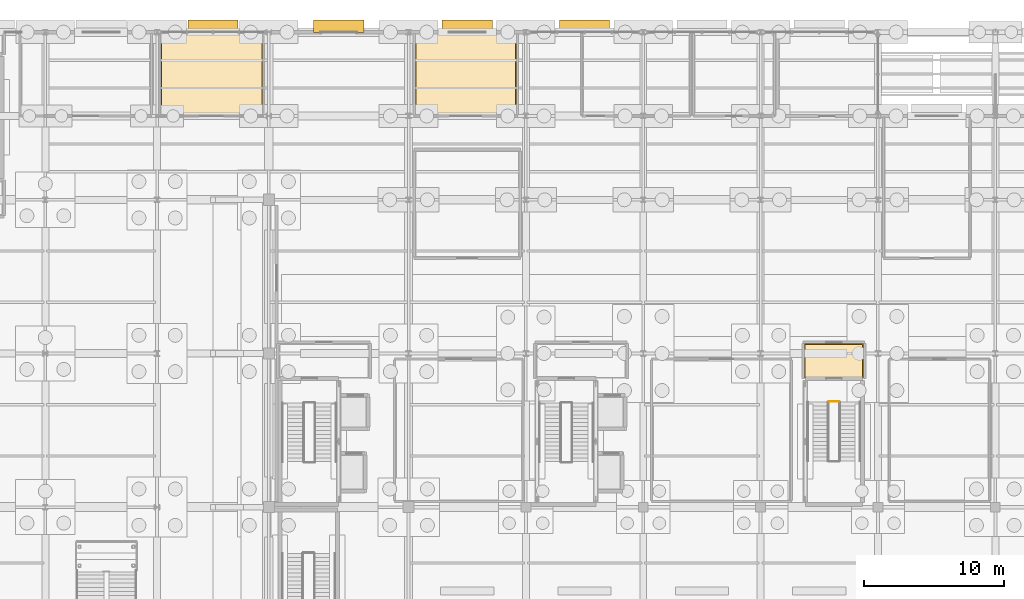
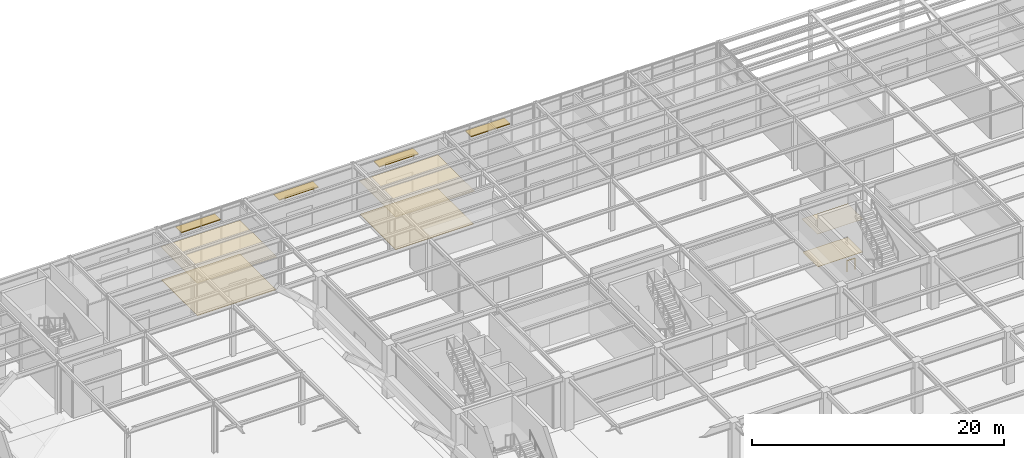
# One storey, part 125 of 129: 6 coverings, 4 shading devices, 1 railing.
"""IFC4 building model written with IfcOpenShell, lengths in metres."""

from ifc_helpers import new_model, si_unit, direction, frame, origin, origin_2d, place, context, subcontext, project, spatial, polyline, rectangle, circle, outline, extrude, material, layer, layer_set, type_object, element, save


model = new_model("IFC4")

# Units and contexts
model_context = context("Model", 3, precision=1e-05, world=origin(), true_north=direction((0.0, 1.0)))
body_context = subcontext(model_context, "Body", "Model", "MODEL_VIEW")
ifc_project = project(units=[si_unit("LENGTHUNIT", "METRE"), si_unit("AREAUNIT", "SQUARE_METRE"), si_unit("VOLUMEUNIT", "CUBIC_METRE"), si_unit("PLANEANGLEUNIT", "RADIAN"), si_unit("MASSUNIT", "GRAM", prefix="KILO")], contexts=[model_context])

# Site, building, storey
site_placement = place(None, origin())
site = spatial("IfcSite", under=ifc_project, at=site_placement, CompositionType="ELEMENT")
building_placement = place(site_placement, origin())
building = spatial("IfcBuilding", under=site, at=building_placement, Name="Sitalva Quay Ferry Terminal", CompositionType="ELEMENT")
storey_placement = place(building_placement, origin())
storey = spatial("IfcBuildingStorey", under=building, at=storey_placement, Name="L01", CompositionType="ELEMENT", Elevation=0.0)

# Coverings
ifc_material_1 = material(Name="Perforated Marine Aluminium Acoustic Ceiling", Category="aluminium")
ifc_layer_1 = layer(ifc_material_1, 0.0400390625)
ifc_layer_set_1 = layer_set([ifc_layer_1], Name="Perforated Marine Aluminium Acoustic Ceiling")
covering_type_1 = type_object("IfcCoveringType", Name="Ceiling_AcousticBaffle_40", PredefinedType="CEILING", material=ifc_layer_set_1)
covering_1_placement = place(storey_placement, frame((0.0, 0.0, 3.2099609375)))
element("IfcCovering", 1, at=covering_1_placement, inside=storey, type_object=covering_type_1, Name="Passenger Information & BIWTA Desk ceiling", PredefinedType="CEILING", context=body_context, shape_type="SweptSolid", body=[
    extrude(outline(polyline([(66.25, 106.050048828125), (73.550048828125, 106.050048828125), (73.550048828125, 111.8798828125), (66.25, 111.8798828125), (66.25, 106.050048828125)])), origin(), (0.0, 0.0, 1.0), 0.0400390625),
])
covering_2_placement = place(storey_placement, frame((0.0, 0.0, 3.2099609375)))
element("IfcCovering", 2, at=covering_2_placement, inside=storey, type_object=covering_type_1, Name="Riverfront VIP & Diplomatic Lounge ceiling", PredefinedType="CEILING", context=body_context, shape_type="SweptSolid", body=[
    extrude(outline(polyline([(84.482421875, 106.08251953125), (91.717529296875, 106.08251953125), (91.717529296875, 111.8798828125), (84.482421875, 111.8798828125), (84.482421875, 106.08251953125)])), origin(), (0.0, 0.0, 1.0), 0.0400390625),
])
ifc_material_2 = material(Name="Moisture-Resistant Acoustic Gypsum Ceiling", Category="gypsum")
ifc_layer_2 = layer(ifc_material_2, 0.02490234375)
ifc_layer_set_2 = layer_set([ifc_layer_2], Name="Moisture-Resistant Acoustic Gypsum Ceiling")
covering_type_2 = type_object("IfcCoveringType", Name="Ceiling_GypsumMoisture_25", PredefinedType="CEILING", material=ifc_layer_set_2)
covering_3_placement = place(storey_placement, frame((0.0, 0.0, 3.22509765625)))
element("IfcCovering", 3, at=covering_3_placement, inside=storey, type_object=covering_type_2, Name="Firefighting & Lift Lobby C4 ceiling", PredefinedType="CEILING", context=body_context, shape_type="SweptSolid", body=[
    extrude(outline(polyline([(112.340087890625, 87.239990234375), (116.56005859375, 87.239990234375), (116.56005859375, 89.7099609375), (112.340087890625, 89.7099609375), (112.340087890625, 87.239990234375)])), origin(), (0.0, 0.0, 1.0), 0.02490234375),
])
ifc_material_3 = material(Name="Flamed Non-Slip Granite Paving", Category="masonry")
ifc_layer_3 = layer(ifc_material_3, 0.034912109375)
ifc_layer_set_3 = layer_set([ifc_layer_3], Name="Flamed Non-Slip Granite Paving")
covering_type_3 = type_object("IfcCoveringType", Name="Finish_Granite_35", PredefinedType="FLOORING", material=ifc_layer_set_3)
covering_4_placement = place(storey_placement, origin())
element("IfcCovering", 4, at=covering_4_placement, inside=storey, type_object=covering_type_3, Name="Firefighting & Lift Lobby C4 floor finish", PredefinedType="FLOORING", context=body_context, shape_type="SweptSolid", body=[
    extrude(outline(polyline([(112.389892578125, 87.2900390625), (116.510009765625, 87.2900390625), (116.510009765625, 89.659912109375), (112.389892578125, 89.659912109375), (112.389892578125, 87.2900390625)])), origin(), (0.0, 0.0, 1.0), 0.034912109375),
])
ifc_material_4 = material(Name="Polished River-Stone Terrazzo", Category="masonry")
ifc_layer_4 = layer(ifc_material_4, 0.030029296875)
ifc_layer_set_4 = layer_set([ifc_layer_4], Name="Polished River-Stone Terrazzo")
covering_type_4 = type_object("IfcCoveringType", Name="Finish_Terrazzo_30", PredefinedType="FLOORING", material=ifc_layer_set_4)
covering_5_placement = place(storey_placement, origin())
element("IfcCovering", 5, at=covering_5_placement, inside=storey, type_object=covering_type_4, Name="Passenger Information & BIWTA Desk floor finish", PredefinedType="FLOORING", context=body_context, shape_type="SweptSolid", body=[
    extrude(outline(polyline([(66.300048828125, 106.10009765625), (73.5, 106.10009765625), (73.5, 111.830078125), (66.300048828125, 111.830078125), (66.300048828125, 106.10009765625)])), origin(), (0.0, 0.0, 1.0), 0.030029296875),
])
covering_6_placement = place(storey_placement, origin())
element("IfcCovering", 6, at=covering_6_placement, inside=storey, type_object=covering_type_4, Name="Riverfront VIP & Diplomatic Lounge floor finish", PredefinedType="FLOORING", context=body_context, shape_type="SweptSolid", body=[
    extrude(outline(polyline([(84.532470703125, 106.132568359375), (91.66748046875, 106.132568359375), (91.66748046875, 111.830078125), (84.532470703125, 111.830078125), (84.532470703125, 106.132568359375)])), origin(), (0.0, 0.0, 1.0), 0.030029296875),
])

# Railing
ifc_material_5 = material(Name="Galvanised Steel S275JR", Category="steel")
railing_type = type_object("IfcRailingType", Name="Railing_Guard_1100", PredefinedType="GUARDRAIL", material=ifc_material_5)
railing_placement = place(storey_placement, frame((114.090087890625, 85.56005859375, 0.0)))
element("IfcRailing", 7, at=railing_placement, inside=storey, type_object=railing_type, Name="L01 ST-04 stair guard 4", PredefinedType="GUARDRAIL", context=body_context, shape_type="SweptSolid", body=[
    extrude(circle(Radius=0.02392578125, at=origin_2d()), frame((0.0, 0.0, 1.076171875), z_axis=(1.0, 0.0, 0.0), x_axis=(0.0, 1.0, 0.0)), (0.0, 0.0, 1.0), 0.719970703125),
    extrude(circle(Radius=0.02099609375, at=origin_2d()), origin(), (0.0, 0.0, 1.0), 1.052001953125),
    extrude(circle(Radius=0.02099609375, at=origin_2d()), frame((0.719970703125, 0.0, 0.0)), (0.0, 0.0, 1.0), 1.052001953125),
])

# Shading devices
ifc_material_6 = material(Name="Anodised Marine Aluminium 6063-T6", Category="aluminium")
shading_device_type = type_object("IfcShadingDeviceType", Name="Shade_HorizontalLouvre_900", PredefinedType="USERDEFINED", material=ifc_material_6)
for number, where, z_axis, x_axis, name in (
    (8, (70.0, 112.419921875, 3.8076171875), (0.0, 0.0, 1.0), (1.0, 0.0, 0.0), "Monsoon sunshade canopy BS-034"),
    (9, (79.0, 112.419921875, 3.8076171875), (0.0, 0.0, 1.0), (1.0, 0.0, 0.0), "Monsoon sunshade canopy BS-035"),
    (10, (88.199951171875, 112.419921875, 3.8076171875), (0.0, 0.0, 1.0), (1.0, 0.0, 0.0), "Monsoon sunshade canopy BS-036"),
    (11, (96.60009765625, 112.419921875, 3.8076171875), (0.0, 0.0, 1.0), (1.0, 0.0, 0.0), "Monsoon sunshade canopy BS-037"),
):
    element("IfcShadingDevice", number, at=place(storey_placement, frame(where, z_axis=z_axis, x_axis=x_axis)), inside=storey, type_object=shading_device_type, Name=name, ObjectType="SUNSHADE", PredefinedType="USERDEFINED", context=body_context, shape_type="SweptSolid", body=[
        extrude(rectangle(XDim=3.60009765625, YDim=0.89990234375, at=origin_2d()), origin(), (0.0, 0.0, 1.0), 0.0849609375),
    ])

save(model, "model.ifc")
